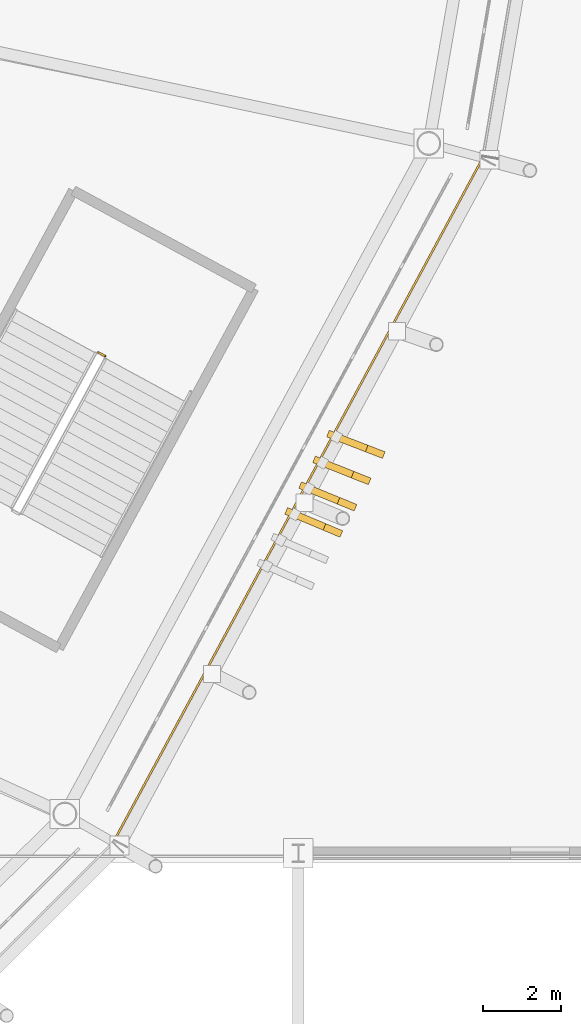
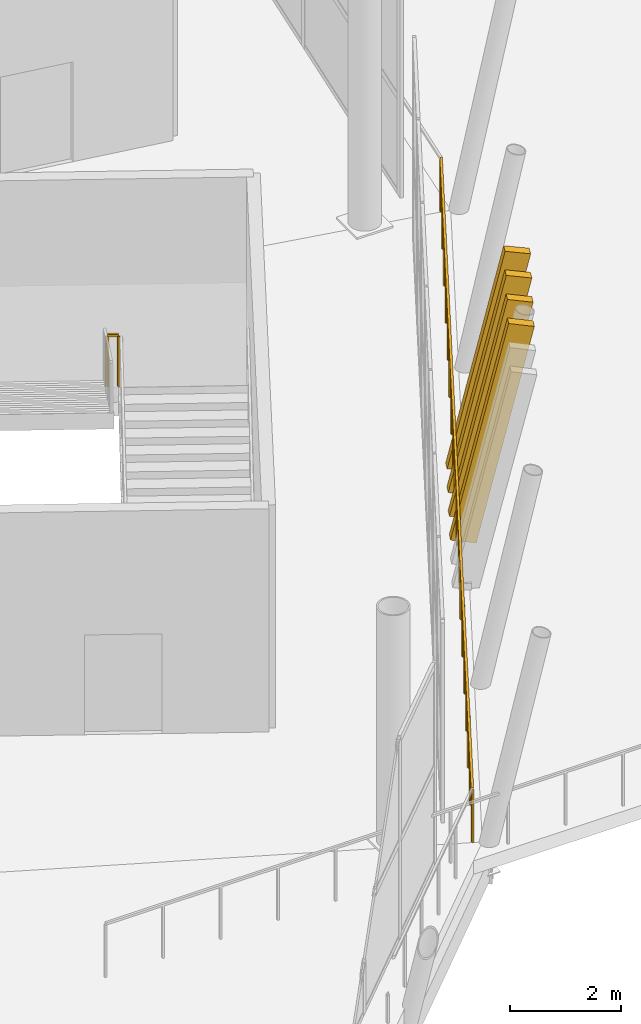
# One storey, part 164 of 178: 4 shading devices, 2 railings.
"""IFC4 building model written with IfcOpenShell, lengths in metres."""

import ifcopenshell
import ifcopenshell.guid

model = None  # the IFC model being written
_history = None  # IfcOwnerHistory: only IFC2X3 demands one
_inside = {}  # id of a spatial element -> (the spatial element, [elements in it])
_under = {}  # id of a project, library or spatial element -> (it, [spatial elements below it])
_declared = {}  # id of a project -> (the project, [libraries it declares])
_typed = {}  # id of a type object -> (the type object, [elements of that type])
_made_of = {}  # id of a material, layer set ... -> (it, [elements and type objects made of it])


def new_model(schema):
    """Start an empty IFC model of exactly this schema.

    Asked for "IFC4X3", IfcOpenShell would pick the latest addendum, in which some entities
    have other attributes; the version numbers below select the first issue.
    IFC2X3 requires an IfcOwnerHistory on every rooted entity: one is made here for all.
    """
    global model, _history
    if schema == "IFC4X3":
        model = ifcopenshell.file(schema_version=(4, 3, 0, 0))
    else:
        model = ifcopenshell.file(schema=schema)
    _inside.clear()
    _under.clear()
    _declared.clear()
    _typed.clear()
    _made_of.clear()
    _history = None
    if model.schema == "IFC2X3":
        org = make("IfcOrganization", Name="unknown")
        user = make(
            "IfcPersonAndOrganization",
            ThePerson=make("IfcPerson", FamilyName="unknown"),
            TheOrganization=org,
        )
        app = make(
            "IfcApplication",
            ApplicationDeveloper=org,
            Version="unknown",
            ApplicationFullName="unknown",
            ApplicationIdentifier="unknown",
        )
        _history = make(
            "IfcOwnerHistory",
            OwningUser=user,
            OwningApplication=app,
            ChangeAction="ADDED",
            CreationDate=0,
        )
    return model


def make(cls, **values):
    """One entity of the class cls with the attributes given. An attribute that is None is left unset."""
    return model.create_entity(
        cls, **{name: value for name, value in values.items() if value is not None}
    )


def rooted(cls, **values):
    """An entity with a GlobalId (a new one), such as an element, a storey or a relation."""
    return make(cls, GlobalId=ifcopenshell.guid.new(), OwnerHistory=_history, **values)


def si_unit(unit_type, name, prefix=None):
    """IfcSIUnit, for example si_unit("LENGTHUNIT", "METRE", prefix="MILLI")."""
    return make("IfcSIUnit", UnitType=unit_type, Prefix=prefix, Name=name)


def assignment(units):
    """IfcUnitAssignment: the units of a project."""
    return None if units is None else make("IfcUnitAssignment", Units=units)


def point(xyz):
    """IfcCartesianPoint."""
    return None if xyz is None else make("IfcCartesianPoint", Coordinates=xyz)


def direction(xyz):
    """IfcDirection."""
    return None if xyz is None else make("IfcDirection", DirectionRatios=xyz)


def frame(location, z_axis=None, x_axis=None):
    """IfcAxis2Placement3D, a coordinate frame: its origin and axes. An axis left out is left unset."""
    return make(
        "IfcAxis2Placement3D",
        Location=point(location),
        Axis=direction(z_axis),
        RefDirection=direction(x_axis),
    )


def frame_2d(location, x_axis=None):
    """IfcAxis2Placement2D, a coordinate frame in the plane: its origin and x axis."""
    return make(
        "IfcAxis2Placement2D", Location=point(location), RefDirection=direction(x_axis)
    )


def origin():
    """The frame at (0, 0, 0) with its axes left unset."""
    return frame((0.0, 0.0, 0.0))


def origin_2d():
    """The frame at (0, 0) in the plane with its x axis left unset."""
    return frame_2d((0.0, 0.0))


def place(relative_to, where):
    """IfcLocalPlacement: puts the frame where relative to a parent placement (None: the world)."""
    return make(
        "IfcLocalPlacement", PlacementRelTo=relative_to, RelativePlacement=where
    )


def context(
    kind, dimensions, precision=None, world=None, true_north=None, identifier=None
):
    """IfcGeometricRepresentationContext, for example the 3D "Model" context."""
    return make(
        "IfcGeometricRepresentationContext",
        ContextIdentifier=identifier,
        ContextType=kind,
        CoordinateSpaceDimension=dimensions,
        Precision=precision,
        WorldCoordinateSystem=world,
        TrueNorth=true_north,
    )


def subcontext(parent, identifier, kind, view, scale=None):
    """IfcGeometricRepresentationSubContext, for example "Body" below "Model"."""
    return make(
        "IfcGeometricRepresentationSubContext",
        ContextIdentifier=identifier,
        ContextType=kind,
        ParentContext=parent,
        TargetScale=scale,
        TargetView=view,
    )


def project(units=None, contexts=None):
    """IfcProject with its units and contexts."""
    return rooted(
        "IfcProject",
        Name="project",
        RepresentationContexts=contexts,
        UnitsInContext=assignment(units),
    )


def spatial(cls, under=None, at=None, **own):
    """A site, building, storey or space (cls), placed at a placement, below another one or the project."""
    s = rooted(cls, ObjectPlacement=at, **own)
    if under is not None:
        _under.setdefault(under.id(), (under, []))[1].append(s)
    return s


def profile(cls, at=None, kind="AREA", **sizes):
    """A parametric profile (cls). Its sizes go by their IFC names, for example OverallWidth=200.0."""
    return make(cls, ProfileType=kind, Position=at, **sizes)


def rectangle(**sizes):
    """IfcRectangleProfileDef."""
    return profile("IfcRectangleProfileDef", **sizes)


def extrude(swept, where, along, depth):
    """IfcExtrudedAreaSolid: the profile swept, set in the frame where, extruded along a direction by depth."""
    return make(
        "IfcExtrudedAreaSolid",
        SweptArea=swept,
        Position=where,
        ExtrudedDirection=direction(along),
        Depth=depth,
    )


def shape(context_of_items, identifier, shape_type, items):
    """IfcShapeRepresentation: the items that make up one representation, for example the "Body"."""
    return make(
        "IfcShapeRepresentation",
        ContextOfItems=context_of_items,
        RepresentationIdentifier=identifier,
        RepresentationType=shape_type,
        Items=items,
    )


def material(Name=None, Category=None):
    """IfcMaterial."""
    return make("IfcMaterial", Name=Name, Category=Category)


def material_profile(
    of_material, cross_section, Name=None, Category=None, Priority=None
):
    """IfcMaterialProfile: a cross section and its material."""
    return make(
        "IfcMaterialProfile",
        Name=Name,
        Material=of_material,
        Profile=cross_section,
        Priority=Priority,
        Category=Category,
    )


def profile_set(profiles, Name=None, composite=None):
    """IfcMaterialProfileSet."""
    return make(
        "IfcMaterialProfileSet",
        Name=Name,
        MaterialProfiles=profiles,
        CompositeProfile=composite,
    )


def made_of(thing, what):
    """Note that an element or type object is made of a material, layer set ...; save() writes the relation."""
    if what is not None:
        _made_of.setdefault(what.id(), (what, []))[1].append(thing)
    return thing


def type_object(cls, material=None, **own):
    """A type object (cls), such as IfcWallType, which elements share."""
    return made_of(rooted(cls, **own), material)


def element(
    cls,
    number,
    at=None,
    inside=None,
    cuts=None,
    type_object=None,
    material=None,
    context=None,
    identifier="Body",
    shape_type=None,
    held_by="IfcProductDefinitionShape",
    body=None,
    shapes=None,
    **own,
):
    """One element of the class cls, such as IfcWall. Its Tag is "e" and its number.

    at: its placement. inside: the storey or other place that contains it. cuts: it is an
    opening in that element (IfcRelVoidsElement). A single representation is given by context,
    identifier, shape_type and body (its items); several are given by shapes. held_by: the class
    of the entity that holds the representations. save() writes the other relations.
    """
    e = rooted(cls, Tag="e%d" % number, ObjectPlacement=at, **own)
    if body is not None:
        shapes = [shape(context, identifier, shape_type, body)]
    if shapes is not None:
        e.Representation = make(held_by, Representations=shapes)
    if inside is not None:
        _inside.setdefault(inside.id(), (inside, []))[1].append(e)
    if cuts is not None:
        rooted(
            "IfcRelVoidsElement", RelatingBuildingElement=cuts, RelatedOpeningElement=e
        )
    if type_object is not None:
        _typed.setdefault(type_object.id(), (type_object, []))[1].append(e)
    return made_of(e, material)


def aggregate(whole, parts):
    """IfcRelAggregates: a whole, such as a stair, and the parts it consists of."""
    return rooted("IfcRelAggregates", RelatingObject=whole, RelatedObjects=parts)


def save(model, path):
    """Write the relations noted so far, then the file.

    IfcRelAggregates (storeys below a building ...), IfcRelContainedInSpatialStructure (elements
    in a storey), IfcRelDefinesByType, IfcRelAssociatesMaterial and IfcRelDeclares: one each for
    every whole, place, type object, material and project.
    """
    for whole, parts in _under.values():
        aggregate(whole, parts)
    for where, things in _inside.values():
        rooted(
            "IfcRelContainedInSpatialStructure",
            RelatedElements=things,
            RelatingStructure=where,
        )
    for kind, things in _typed.values():
        rooted("IfcRelDefinesByType", RelatedObjects=things, RelatingType=kind)
    for what, things in _made_of.values():
        rooted("IfcRelAssociatesMaterial", RelatedObjects=things, RelatingMaterial=what)
    for by, libraries in _declared.values():
        rooted("IfcRelDeclares", RelatingContext=by, RelatedDefinitions=libraries)
    model.write(path)


model = new_model("IFC4")

# Units and contexts
model_context = context("Model", 3, precision=1e-05, world=origin(), true_north=direction((0.0, 1.0)))
body_context = subcontext(model_context, "Body", "Model", "MODEL_VIEW")
ifc_project = project(units=[si_unit("LENGTHUNIT", "METRE"), si_unit("AREAUNIT", "SQUARE_METRE"), si_unit("VOLUMEUNIT", "CUBIC_METRE"), si_unit("PLANEANGLEUNIT", "RADIAN"), si_unit("MASSUNIT", "GRAM", prefix="KILO")], contexts=[model_context])

# Site, building, storey
site_placement = place(None, origin())
site = spatial("IfcSite", under=ifc_project, at=site_placement, CompositionType="ELEMENT")
building_placement = place(site_placement, origin())
building = spatial("IfcBuilding", under=site, at=building_placement, Name="Zlatoyarsky Gate Stadium", CompositionType="ELEMENT")
storey_placement = place(building_placement, frame((0.0, 0.0, 5.39990234375)))
storey = spatial("IfcBuildingStorey", under=building, at=storey_placement, Name="L01", CompositionType="ELEMENT", Elevation=5.39990234375)

# Railings
ifc_material_1 = material(Name="Powder-coated steel tubular guardrail", Category="steel")
railing_type_1 = type_object("IfcRailingType", Name="CONCOURSE SLAB EDGE GUARDRAIL 1200", PredefinedType="GUARDRAIL", material=ifc_material_1)
railing_1_placement = place(storey_placement, frame((192.777587890625, 43.78564453125, 0.0)))
element("IfcRailing", 1, at=railing_1_placement, inside=storey, type_object=railing_type_1, Name="L01 outer slab edge guardrail 22", PredefinedType="GUARDRAIL", context=body_context, shape_type="SweptSolid", body=[
    extrude(rectangle(XDim=0.048095703125, YDim=0.048095703125, at=origin_2d()), frame((0.0, 0.0, 1.17578125), z_axis=(0.475162815527, 0.879897891088, 0.0), x_axis=(-0.879897891088, 0.475162815527, 0.0)), (0.0, 0.0, 1.0), 19.852783203125),
    extrude(rectangle(XDim=0.0419921875, YDim=0.0419921875, at=origin_2d()), origin(), (0.0, 0.0, 1.0), 1.15185546875),
    extrude(rectangle(XDim=0.0419921875, YDim=0.0419921875, at=origin_2d()), frame((0.554931640625, 1.027587890625, 0.0)), (0.0, 0.0, 1.0), 1.15185546875),
    extrude(rectangle(XDim=0.0419921875, YDim=0.0419921875, at=origin_2d()), frame((1.10986328125, 2.05517578125, 0.0)), (0.0, 0.0, 1.0), 1.15185546875),
    extrude(rectangle(XDim=0.0419921875, YDim=0.0419921875, at=origin_2d()), frame((1.664794921875, 3.082763671875, 0.0)), (0.0, 0.0, 1.0), 1.15185546875),
    extrude(rectangle(XDim=0.0419921875, YDim=0.0419921875, at=origin_2d()), frame((2.2197265625, 4.1103515625, 0.0)), (0.0, 0.0, 1.0), 1.15185546875),
    extrude(rectangle(XDim=0.0419921875, YDim=0.0419921875, at=origin_2d()), frame((2.7744140625, 5.1376953125, 0.0)), (0.0, 0.0, 1.0), 1.15185546875),
    extrude(rectangle(XDim=0.0419921875, YDim=0.0419921875, at=origin_2d()), frame((3.329345703125, 6.165283203125, 0.0)), (0.0, 0.0, 1.0), 1.15185546875),
    extrude(rectangle(XDim=0.0419921875, YDim=0.0419921875, at=origin_2d()), frame((3.88427734375, 7.19287109375, 0.0)), (0.0, 0.0, 1.0), 1.15185546875),
    extrude(rectangle(XDim=0.0419921875, YDim=0.0419921875, at=origin_2d()), frame((4.439208984375, 8.220458984375, 0.0)), (0.0, 0.0, 1.0), 1.15185546875),
    extrude(rectangle(XDim=0.0419921875, YDim=0.0419921875, at=origin_2d()), frame((4.994140625, 9.248046875, 0.0)), (0.0, 0.0, 1.0), 1.15185546875),
    extrude(rectangle(XDim=0.0419921875, YDim=0.0419921875, at=origin_2d()), frame((5.549072265625, 10.275634765625, 0.0)), (0.0, 0.0, 1.0), 1.15185546875),
    extrude(rectangle(XDim=0.0419921875, YDim=0.0419921875, at=origin_2d()), frame((6.10400390625, 11.30322265625, 0.0)), (0.0, 0.0, 1.0), 1.15185546875),
    extrude(rectangle(XDim=0.0419921875, YDim=0.0419921875, at=origin_2d()), frame((6.658935546875, 12.330810546875, 0.0)), (0.0, 0.0, 1.0), 1.15185546875),
    extrude(rectangle(XDim=0.0419921875, YDim=0.0419921875, at=origin_2d()), frame((7.213623046875, 13.358154296875, 0.0)), (0.0, 0.0, 1.0), 1.15185546875),
    extrude(rectangle(XDim=0.0419921875, YDim=0.0419921875, at=origin_2d()), frame((7.7685546875, 14.3857421875, 0.0)), (0.0, 0.0, 1.0), 1.15185546875),
    extrude(rectangle(XDim=0.0419921875, YDim=0.0419921875, at=origin_2d()), frame((8.323486328125, 15.413330078125, 0.0)), (0.0, 0.0, 1.0), 1.15185546875),
    extrude(rectangle(XDim=0.0419921875, YDim=0.0419921875, at=origin_2d()), frame((8.87841796875, 16.44091796875, 0.0)), (0.0, 0.0, 1.0), 1.15185546875),
    extrude(rectangle(XDim=0.0419921875, YDim=0.0419921875, at=origin_2d()), frame((9.433349609375, 17.468505859375, 0.0)), (0.0, 0.0, 1.0), 1.15185546875),
])
ifc_material_2 = material(Name="Powder-coated steel stair guardrail", Category="steel")
railing_type_2 = type_object("IfcRailingType", Name="PAINTED STEEL STAIR WELL GUARDRAIL 1150", PredefinedType="GUARDRAIL", material=ifc_material_2)
railing_2_placement = place(storey_placement, frame((192.563232421875, 56.197998046875, 2.60009765625)))
element("IfcRailing", 2, at=railing_2_placement, inside=storey, type_object=railing_type_2, Name="ST-12 L01 stair guard 2", PredefinedType="GUARDRAIL", context=body_context, shape_type="SweptSolid", body=[
    extrude(rectangle(XDim=0.048095703125, YDim=0.048095703125, at=origin_2d()), frame((0.0, 0.0, 1.1259765625), z_axis=(-0.878780312785, 0.477226530971, 0.0), x_axis=(-0.477226530971, -0.878780312785, 0.0)), (0.0, 0.0, 1.0), 0.199951171875),
    extrude(rectangle(XDim=0.0419921875, YDim=0.0419921875, at=origin_2d()), origin(), (0.0, 0.0, 1.0), 1.101806640625),
    extrude(rectangle(XDim=0.0419921875, YDim=0.0419921875, at=origin_2d()), frame((-0.17578125, 0.095458984375, 0.0)), (0.0, 0.0, 1.0), 1.101806640625),
])

# Shading devices
ifc_material_3 = material(Name="Precast concrete C40/50 stone-toned architectural rib", Category="masonry")
ifc_material_profile = material_profile(ifc_material_3, rectangle(XDim=0.179931640625, YDim=0.47998046875, at=origin_2d()), Name="RIB 180X480")
ifc_profile_set = profile_set([ifc_material_profile], Name="Precast concrete C40/50 stone-toned architectural rib")
shading_device_type = type_object("IfcShadingDeviceType", Name="PRECAST RIBBED BOWL LOUVRE FIN 180X480", PredefinedType="JALOUSIE", material=ifc_profile_set)
for number, where, z_axis, x_axis, name in (
    (3, (197.40771484375, 52.152099609375, -0.010009765625), (0.203318380139, -0.085428318382, 0.975378715534), (0.387365839977, 0.9219260849, 0.0), "Leaning bowl louvre fin L01-22-3"),
    (4, (197.763916015625, 52.81201171875, -0.010009765625), (0.204182440897, -0.083392728789, 0.975374381258), (0.37810280644, 0.925763613328, 0.0), "Leaning bowl louvre fin L01-22-4"),
    (5, (198.1201171875, 53.471923828125, -0.010009765625), (0.205045491268, -0.081356759439, 0.975365277321), (0.368804401134, 0.929507027248, 0.0), "Leaning bowl louvre fin L01-22-5"),
    (6, (198.4765625, 54.1318359375, -0.010009765625), (0.205858795997, -0.079321271122, 0.975361621173), (0.359550829549, 0.93312550119, 0.0), "Leaning bowl louvre fin L01-22-6"),
):
    element("IfcShadingDevice", number, at=place(storey_placement, frame(where, z_axis=z_axis, x_axis=x_axis)), inside=storey, type_object=shading_device_type, Name=name, PredefinedType="JALOUSIE", context=body_context, shape_type="SweptSolid", body=[
        extrude(rectangle(XDim=0.179931640625, YDim=0.47998046875, at=origin_2d()), origin(), (0.0, 0.0, 1.0), 4.79833984375),
    ])

save(model, "model.ifc")
